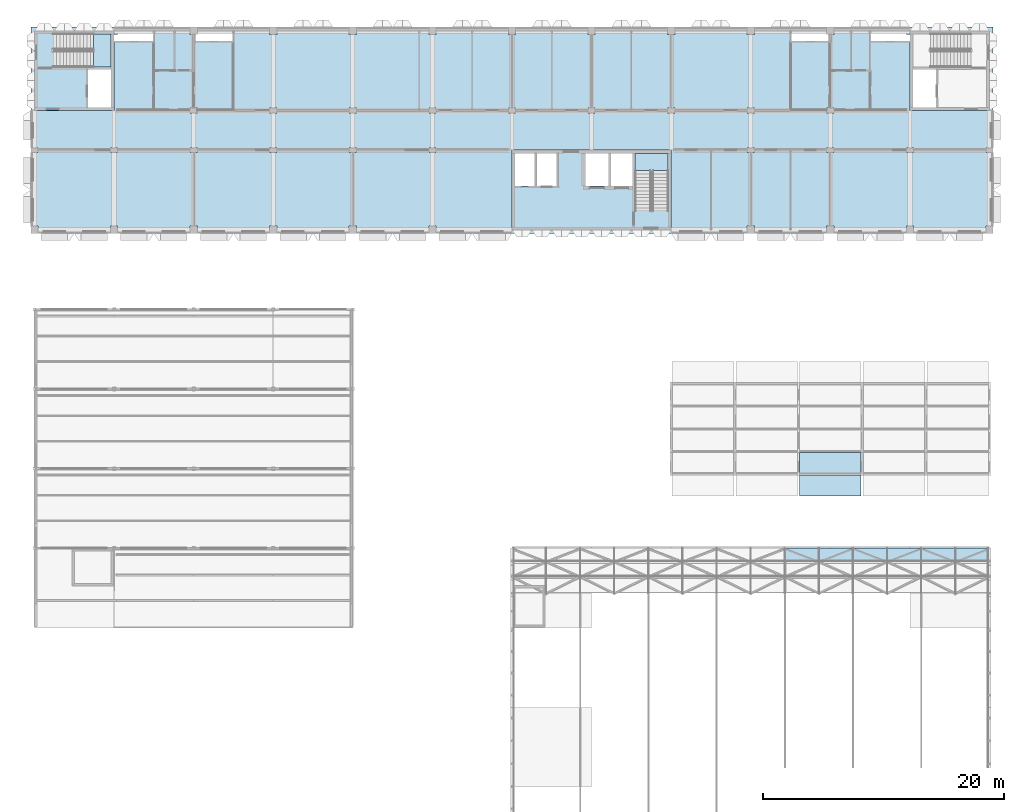
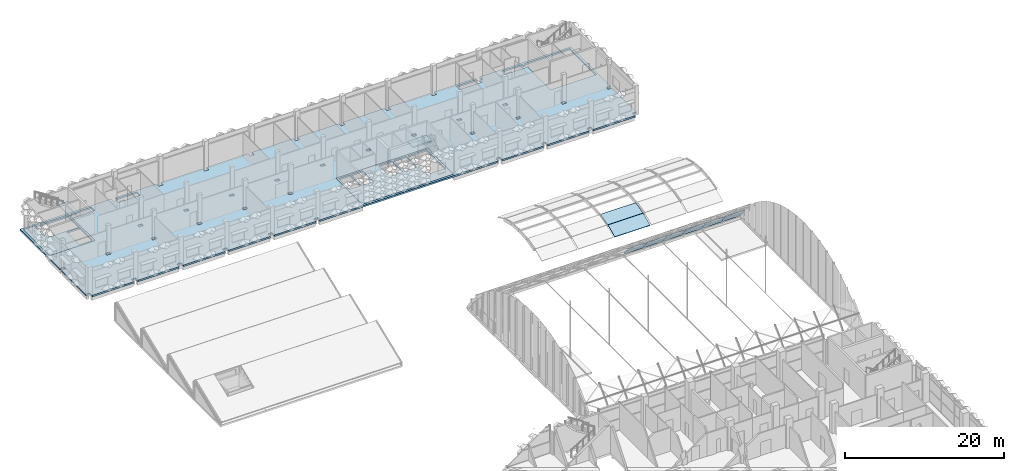
# One storey, part 47 of 109: 7 slabs, 6 plates, 2 elements without a shape of their own.
"""IFC4 building model written with IfcOpenShell, lengths in metres."""

from ifc_helpers import new_model, si_unit, direction, frame, origin, place, context, subcontext, project, spatial, polyline, outline, extrude, material, layer, layer_set, type_object, element, aggregate, save


model = new_model("IFC4")

# Units and contexts
model_context = context("Model", 3, precision=1e-05, world=origin(), true_north=direction((0.0, 1.0)))
body_context = subcontext(model_context, "Body", "Model", "MODEL_VIEW")
ifc_project = project(units=[si_unit("LENGTHUNIT", "METRE"), si_unit("AREAUNIT", "SQUARE_METRE"), si_unit("VOLUMEUNIT", "CUBIC_METRE"), si_unit("PLANEANGLEUNIT", "RADIAN"), si_unit("MASSUNIT", "GRAM", prefix="KILO")], contexts=[model_context])

# Site, building, storey
site_placement = place(None, origin())
site = spatial("IfcSite", under=ifc_project, at=site_placement, CompositionType="ELEMENT")
building_placement = place(site_placement, origin())
building = spatial("IfcBuilding", under=site, at=building_placement, Name="Lantern Court Research Institute", CompositionType="ELEMENT")
storey_placement = place(building_placement, frame((0.0, 0.0, 14.39990234375)))
storey = spatial("IfcBuildingStorey", under=building, at=storey_placement, Name="L03", CompositionType="ELEMENT", Elevation=14.39990234375)

# Plates
ifc_material_1 = material(Name="Laminated low-emissivity glass", Category="glass")
ifc_layer_1 = layer(ifc_material_1, 0.052001953125)
ifc_layer_set_1 = layer_set([ifc_layer_1], Name="Laminated low-emissivity glass")
plate_type = type_object("IfcPlateType", Name="Gridshell roof glazing panel 52", PredefinedType="SHEET", material=ifc_layer_set_1)
for number, where, z_axis, x_axis, name in (
    (1, (65.047119140625, 55.05615234375, 1.970703125), (0.0, 0.817224984024, 0.576318770723), (-1.0, 0.0, 0.0), "Roof glazing panel"),
    (2, (67.875732421875, 55.05615234375, 1.970703125), (0.0, 0.817224984024, 0.576318770723), (-1.0, 0.0, 0.0), "Roof glazing panel"),
    (3, (70.704345703125, 55.05615234375, 1.970703125), (0.0, 0.817224984024, 0.576318770723), (-1.0, 0.0, 0.0), "Roof glazing panel"),
    (4, (73.532958984375, 55.05615234375, 1.970703125), (0.0, 0.817224984024, 0.576318770723), (-1.0, 0.0, 0.0), "Roof glazing panel"),
):
    element("IfcPlate", number, at=place(storey_placement, frame(where, z_axis=z_axis, x_axis=x_axis)), inside=storey, type_object=plate_type, Name=name, PredefinedType="SHEET", context=body_context, shape_type="SweptSolid", body=[
        extrude(outline(polyline([(0.0, 0.0), (2.80859375, 0.0), (2.80859375, -1.867744155330344), (0.0, -1.867744155330344), (0.0, 0.0)])), origin(), (0.0, 0.0, -1.0), 0.052001953125),
    ])
plate_1_placement = place(storey_placement, frame((76.361328125, 55.05615234375, 1.970703125), z_axis=(0.0, 0.817224984024, 0.576318770723), x_axis=(-1.0, 0.0, 0.0)))
element("IfcPlate", 5, at=plate_1_placement, inside=storey, type_object=plate_type, Name="Roof glazing panel", PredefinedType="SHEET", context=body_context, shape_type="SweptSolid", body=[
    extrude(outline(polyline([(0.0, 0.0), (2.808349609375, 0.0), (2.808349609375, -1.867744155330344), (0.0, -1.867744155330344), (0.0, 0.0)])), origin(), (0.0, 0.0, -1.0), 0.052001953125),
])
plate_2_placement = place(storey_placement, frame((79.18994140625, 55.05615234375, 1.970703125), z_axis=(0.0, 0.817224984024, 0.576318770723), x_axis=(-1.0, 0.0, 0.0)))
element("IfcPlate", 6, at=plate_2_placement, inside=storey, type_object=plate_type, Name="Roof glazing panel", PredefinedType="SHEET", context=body_context, shape_type="SweptSolid", body=[
    extrude(outline(polyline([(0.0, 0.0), (2.80859375, 0.0), (2.80859375, -1.867744155330344), (0.0, -1.867744155330344), (0.0, 0.0)])), origin(), (0.0, 0.0, -1.0), 0.052001953125),
])

# Slabs
ifc_material_2 = material(Name="Concrete C35/45", Category="concrete")
ifc_layer_2 = layer(ifc_material_2, 0.25)
ifc_layer_set_2 = layer_set([ifc_layer_2], Name="Concrete C35/45")
slab_type_1 = type_object("IfcSlabType", Name="RC core floor slab 250", PredefinedType="FLOOR", material=ifc_layer_set_2)
slab_1_placement = place(storey_placement, frame((0.0, 0.0, -0.25)))
element("IfcSlab", 7, at=slab_1_placement, inside=storey, type_object=slab_type_1, Name="Floor of core WC-W", PredefinedType="FLOOR", context=body_context, shape_type="SweptSolid", body=[
    extrude(outline(polyline([(0.0, 92.39990234375), (6.60009765625, 92.39990234375), (6.60009765625, 99.0), (0.0, 99.0), (0.0, 92.39990234375)]), holes=[polyline([(1.60009765625, 96.0), (6.35009765625, 96.0), (6.35009765625, 98.75), (1.60009765625, 98.75), (1.60009765625, 96.0)]), polyline([(4.449951171875, 92.64990234375), (4.449951171875, 95.800048828125), (6.35009765625, 95.800048828125), (6.35009765625, 92.64990234375), (4.449951171875, 92.64990234375)])]), origin(), (0.0, 0.0, 1.0), 0.25),
])
slab_2_placement = place(storey_placement, frame((0.0, 0.0, -0.25)))
element("IfcSlab", 8, at=slab_2_placement, inside=storey, type_object=slab_type_1, Name="Floor of core WC-M", PredefinedType="FLOOR", context=body_context, shape_type="SweptSolid", body=[
    extrude(outline(polyline([(39.60009765625, 82.5), (52.800048828125, 82.5), (52.800048828125, 89.10009765625), (39.60009765625, 89.10009765625), (39.60009765625, 82.5)]), holes=[polyline([(52.550048828125, 84.10009765625), (52.550048828125, 88.85009765625), (49.800048828125, 88.85009765625), (49.800048828125, 84.10009765625), (52.550048828125, 84.10009765625)]), polyline([(47.800048828125, 86.14990234375), (49.60009765625, 86.14990234375), (49.60009765625, 88.85009765625), (47.800048828125, 88.85009765625), (47.800048828125, 86.14990234375)]), polyline([(45.699951171875, 86.14990234375), (47.60009765625, 86.14990234375), (47.60009765625, 88.85009765625), (45.699951171875, 88.85009765625), (45.699951171875, 86.14990234375)]), polyline([(43.300048828125, 88.85009765625), (43.300048828125, 86.14990234375), (41.675048828125, 86.14990234375), (41.675048828125, 88.85009765625), (43.300048828125, 88.85009765625)]), polyline([(41.47509765625, 88.85009765625), (41.47509765625, 86.14990234375), (39.85009765625, 86.14990234375), (39.85009765625, 88.85009765625), (41.47509765625, 88.85009765625)])]), origin(), (0.0, 0.0, 1.0), 0.25),
])
ifc_material_3 = material(Name="Concrete C35/45", Category="concrete")
ifc_layer_3 = layer(ifc_material_3, 0.25)
ifc_layer_set_3 = layer_set([ifc_layer_3], Name="Concrete C35/45")
slab_type_2 = type_object("IfcSlabType", Name="RC floor slab 250", PredefinedType="FLOOR", material=ifc_layer_set_3)
slab_3_placement = place(storey_placement, frame((0.0, 0.0, -0.25)))
element("IfcSlab", 9, at=slab_3_placement, inside=storey, type_object=slab_type_2, Name="Floor slab L03 Write-up and Seminar Wing", PredefinedType="FLOOR", context=body_context, shape_type="SweptSolid", body=[
    extrude(outline(polyline([(-0.300048828125, 89.300048828125), (0.300048828125, 89.300048828125), (0.300048828125, 88.89990234375), (-0.300048828125, 88.89990234375), (-0.300048828125, 82.800048828125), (0.300048828125, 82.800048828125), (0.300048828125, 82.199951171875), (6.300048828125, 82.199951171875), (6.300048828125, 82.800048828125), (6.89990234375, 82.800048828125), (6.89990234375, 82.199951171875), (12.89990234375, 82.199951171875), (12.89990234375, 82.800048828125), (13.5, 82.800048828125), (13.5, 82.199951171875), (19.5, 82.199951171875), (19.5, 82.800048828125), (20.10009765625, 82.800048828125), (20.10009765625, 82.199951171875), (26.10009765625, 82.199951171875), (26.10009765625, 82.800048828125), (26.699951171875, 82.800048828125), (26.699951171875, 82.199951171875), (32.699951171875, 82.199951171875), (32.699951171875, 82.800048828125), (33.300048828125, 82.800048828125), (33.300048828125, 82.199951171875), (59.10009765625, 82.199951171875), (59.10009765625, 82.800048828125), (59.699951171875, 82.800048828125), (59.699951171875, 82.199951171875), (65.699951171875, 82.199951171875), (65.699951171875, 82.800048828125), (66.300048828125, 82.800048828125), (66.300048828125, 82.199951171875), (72.300048828125, 82.199951171875), (72.300048828125, 82.800048828125), (72.89990234375, 82.800048828125), (72.89990234375, 82.199951171875), (78.89990234375, 82.199951171875), (78.89990234375, 82.800048828125), (79.5, 82.800048828125), (79.5, 88.89990234375), (78.89990234375, 88.89990234375), (78.89990234375, 89.300048828125), (79.5, 89.300048828125), (79.5, 99.0), (79.5, 99.300048828125), (66.300048828125, 99.300048828125), (66.300048828125, 98.699951171875), (65.945068359375, 98.699951171875), (65.945068359375, 98.155029296875), (62.7548828125, 98.155029296875), (62.7548828125, 99.0), (65.698974609375, 99.0), (65.699951171875, 98.699951171875), (65.699951171875, 99.300048828125), (59.699951171875, 99.300048828125), (59.699951171875, 98.699951171875), (59.10009765625, 98.699951171875), (59.10009765625, 99.300048828125), (53.10009765625, 99.300048828125), (53.10009765625, 98.699951171875), (52.5, 98.699951171875), (52.5, 99.300048828125), (46.5, 99.300048828125), (46.5, 98.699951171875), (45.89990234375, 98.699951171875), (45.89990234375, 99.300048828125), (39.89990234375, 99.300048828125), (39.89990234375, 98.699951171875), (39.300048828125, 98.699951171875), (39.300048828125, 99.300048828125), (33.300048828125, 99.300048828125), (33.300048828125, 98.699951171875), (32.699951171875, 98.699951171875), (32.699951171875, 99.300048828125), (26.699951171875, 99.300048828125), (26.699951171875, 98.699951171875), (26.10009765625, 98.699951171875), (26.10009765625, 99.300048828125), (20.10009765625, 99.300048828125), (20.10009765625, 98.699951171875), (19.5, 98.699951171875), (19.5, 99.300048828125), (13.5, 99.300048828125), (13.5, 98.699951171875), (13.5009765625, 99.0), (16.445068359375, 99.0), (16.445068359375, 98.155029296875), (13.2548828125, 98.155029296875), (13.2548828125, 98.699951171875), (12.89990234375, 98.699951171875), (12.89990234375, 99.300048828125), (-0.300048828125, 99.300048828125), (-0.300048828125, 99.0), (-0.300048828125, 89.300048828125)]), holes=[polyline([(72.60009765625, 98.699951171875), (72.60009765625, 99.0), (79.199951171875, 99.0), (79.199951171875, 92.39990234375), (72.60009765625, 92.39990234375), (72.60009765625, 98.155029296875), (69.35498046875, 98.155029296875), (69.35498046875, 99.0), (72.300048828125, 99.0), (72.300048828125, 98.699951171875), (72.60009765625, 98.699951171875)]), polyline([(72.300048828125, 89.300048828125), (72.89990234375, 89.300048828125), (72.89990234375, 88.89990234375), (72.300048828125, 88.89990234375), (72.300048828125, 89.300048828125)]), polyline([(65.699951171875, 92.60009765625), (66.300048828125, 92.60009765625), (66.300048828125, 92.199951171875), (65.699951171875, 92.199951171875), (65.699951171875, 92.60009765625)]), polyline([(65.699951171875, 89.300048828125), (66.300048828125, 89.300048828125), (66.300048828125, 88.89990234375), (65.699951171875, 88.89990234375), (65.699951171875, 89.300048828125)]), polyline([(59.10009765625, 92.60009765625), (59.699951171875, 92.60009765625), (59.699951171875, 92.199951171875), (59.10009765625, 92.199951171875), (59.10009765625, 92.60009765625)]), polyline([(59.10009765625, 88.89990234375), (59.10009765625, 89.300048828125), (59.699951171875, 89.300048828125), (59.699951171875, 88.89990234375), (59.10009765625, 88.89990234375)]), polyline([(52.5, 92.60009765625), (53.10009765625, 92.60009765625), (53.10009765625, 92.199951171875), (52.5, 92.199951171875), (52.5, 92.60009765625)]), polyline([(39.60009765625, 89.10009765625), (52.800048828125, 89.10009765625), (52.800048828125, 82.5), (39.60009765625, 82.5), (39.60009765625, 89.10009765625)]), polyline([(45.89990234375, 92.199951171875), (45.89990234375, 92.60009765625), (46.5, 92.60009765625), (46.5, 92.199951171875), (45.89990234375, 92.199951171875)]), polyline([(39.300048828125, 92.199951171875), (39.300048828125, 92.60009765625), (39.89990234375, 92.60009765625), (39.89990234375, 92.199951171875), (39.300048828125, 92.199951171875)]), polyline([(32.699951171875, 89.300048828125), (33.300048828125, 89.300048828125), (33.300048828125, 88.89990234375), (32.699951171875, 88.89990234375), (32.699951171875, 89.300048828125)]), polyline([(32.699951171875, 92.199951171875), (32.699951171875, 92.60009765625), (33.300048828125, 92.60009765625), (33.300048828125, 92.199951171875), (32.699951171875, 92.199951171875)]), polyline([(26.10009765625, 92.60009765625), (26.699951171875, 92.60009765625), (26.699951171875, 92.199951171875), (26.10009765625, 92.199951171875), (26.10009765625, 92.60009765625)]), polyline([(26.10009765625, 88.89990234375), (26.10009765625, 89.300048828125), (26.699951171875, 89.300048828125), (26.699951171875, 88.89990234375), (26.10009765625, 88.89990234375)]), polyline([(19.5, 92.60009765625), (20.10009765625, 92.60009765625), (20.10009765625, 92.199951171875), (19.5, 92.199951171875), (19.5, 92.60009765625)]), polyline([(19.5, 89.300048828125), (20.10009765625, 89.300048828125), (20.10009765625, 88.89990234375), (19.5, 88.89990234375), (19.5, 89.300048828125)]), polyline([(12.89990234375, 89.300048828125), (13.5, 89.300048828125), (13.5, 88.89990234375), (12.89990234375, 88.89990234375), (12.89990234375, 89.300048828125)]), polyline([(12.89990234375, 92.199951171875), (12.89990234375, 92.60009765625), (13.5, 92.60009765625), (13.5, 92.199951171875), (12.89990234375, 92.199951171875)]), polyline([(6.300048828125, 88.89990234375), (6.300048828125, 89.300048828125), (6.89990234375, 89.300048828125), (6.89990234375, 88.89990234375), (6.300048828125, 88.89990234375)]), polyline([(0.0, 99.0), (6.60009765625, 99.0), (6.60009765625, 98.699951171875), (6.89990234375, 98.699951171875), (6.89990234375, 99.0), (9.844970703125, 99.0), (9.844970703125, 98.155029296875), (6.60009765625, 98.155029296875), (6.60009765625, 92.39990234375), (0.0, 92.39990234375), (0.0, 99.0)])]), origin(), (0.0, 0.0, 1.0), 0.25),
])

# Stair, slab
ifc_material_4 = material(Name="Concrete C40/50", Category="concrete")
stair_type = type_object("IfcStairType", Name="RC half-turn stair 1300 wide, 4500 rise, 6100 shaft", PredefinedType="HALF_TURN_STAIR", material=ifc_material_4)
stair_1_placement = place(storey_placement, origin())
stair_1 = element("IfcStair", 10, at=stair_1_placement, inside=storey, type_object=stair_type, Name="L03 stair ST-W1", PredefinedType="HALF_TURN_STAIR")
ifc_material_5 = material(Name="Concrete C40/50", Category="concrete")
ifc_layer_4 = layer(ifc_material_5, 0.199951171875)
ifc_layer_set_4 = layer_set([ifc_layer_4], Name="Concrete C40/50")
slab_type_3 = type_object("IfcSlabType", Name="RC stair landing 200", PredefinedType="LANDING", material=ifc_layer_set_4)
slab_4_placement = place(storey_placement, frame((0.0, 0.0, 2.050048828125)))
slab_4 = element("IfcSlab", 11, at=slab_4_placement, type_object=slab_type_3, Name="ST-W1 landing 1", PredefinedType="LANDING", context=body_context, shape_type="SweptSolid", body=[
    extrude(outline(polyline([(4.909912109375, 96.0), (6.35009765625, 96.0), (6.35009765625, 98.75), (4.909912109375, 98.75), (4.909912109375, 96.0)])), origin(), (0.0, 0.0, 1.0), 0.199951171875),
])
aggregate(stair_1, [slab_4])

stair_2_placement = place(storey_placement, origin())
stair_2 = element("IfcStair", 12, at=stair_2_placement, inside=storey, type_object=stair_type, Name="L03 stair ST-W2", PredefinedType="HALF_TURN_STAIR")
slab_5_placement = place(storey_placement, frame((0.0, 0.0, 2.050048828125)))
slab_5 = element("IfcSlab", 13, at=slab_5_placement, type_object=slab_type_3, Name="ST-W2 landing 1", PredefinedType="LANDING", context=body_context, shape_type="SweptSolid", body=[
    extrude(outline(polyline([(52.550048828125, 87.409912109375), (52.550048828125, 88.85009765625), (49.800048828125, 88.85009765625), (49.800048828125, 87.409912109375), (52.550048828125, 87.409912109375)])), origin(), (0.0, 0.0, 1.0), 0.199951171875),
])
aggregate(stair_2, [slab_5])

# Slabs
ifc_material_6 = material(Name="Cross-laminated timber C24", Category="wood")
ifc_layer_5 = layer(ifc_material_6, 0.10009765625)
ifc_layer_set_5 = layer_set([ifc_layer_5], Name="Cross-laminated timber C24")
slab_type_4 = type_object("IfcSlabType", Name="Timber roof deck 100", PredefinedType="ROOF", material=ifc_layer_set_5)
slab_6_placement = place(storey_placement, frame((63.43994140625, 62.201904296875, 0.832763671875), z_axis=(0.0, -0.250833423539, 0.968030264835), x_axis=(1.0, 0.0, 0.0)))
element("IfcSlab", 14, at=slab_6_placement, inside=storey, type_object=slab_type_4, Name="Timber roof deck panel", PredefinedType="ROOF", context=body_context, shape_type="SweptSolid", body=[
    extrude(outline(polyline([(0.0, 0.0), (5.1201171875, 0.0), (5.1201171875, 1.9086761200752127), (0.0, 1.9086761200752127), (0.0, 0.0)])), origin(), (0.0, 0.0, -1.0), 0.10009765625),
])
ifc_material_7 = material(Name="Cross-laminated timber C24", Category="wood")
ifc_layer_6 = layer(ifc_material_7, 0.1201171875)
ifc_layer_set_6 = layer_set([ifc_layer_6], Name="Cross-laminated timber C24")
slab_type_5 = type_object("IfcSlabType", Name="Timber roof deck 120", PredefinedType="ROOF", material=ifc_layer_set_6)
slab_7_placement = place(storey_placement, frame((63.43994140625, 60.422119140625, 0.057373046875), z_axis=(0.0, -0.410098722232, 0.912041138339), x_axis=(1.0, 0.0, 0.0)))
element("IfcSlab", 15, at=slab_7_placement, inside=storey, type_object=slab_type_5, Name="Timber roof deck panel", PredefinedType="ROOF", context=body_context, shape_type="SweptSolid", body=[
    extrude(outline(polyline([(0.0, 0.0), (5.1201171875, 0.0), (5.1201171875, 1.9086010302335696), (0.0, 1.9086010302335696), (0.0, 0.0)])), origin(), (0.0, 0.0, -1.0), 0.1201171875),
])

save(model, "model.ifc")
